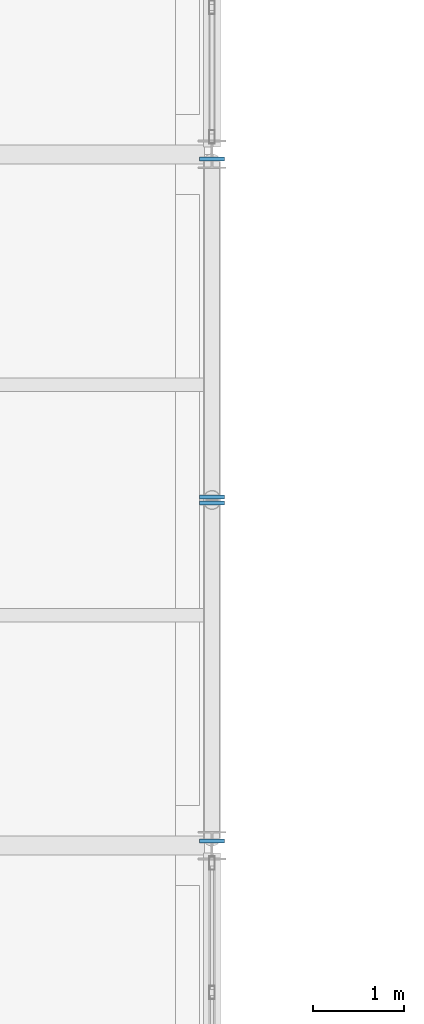
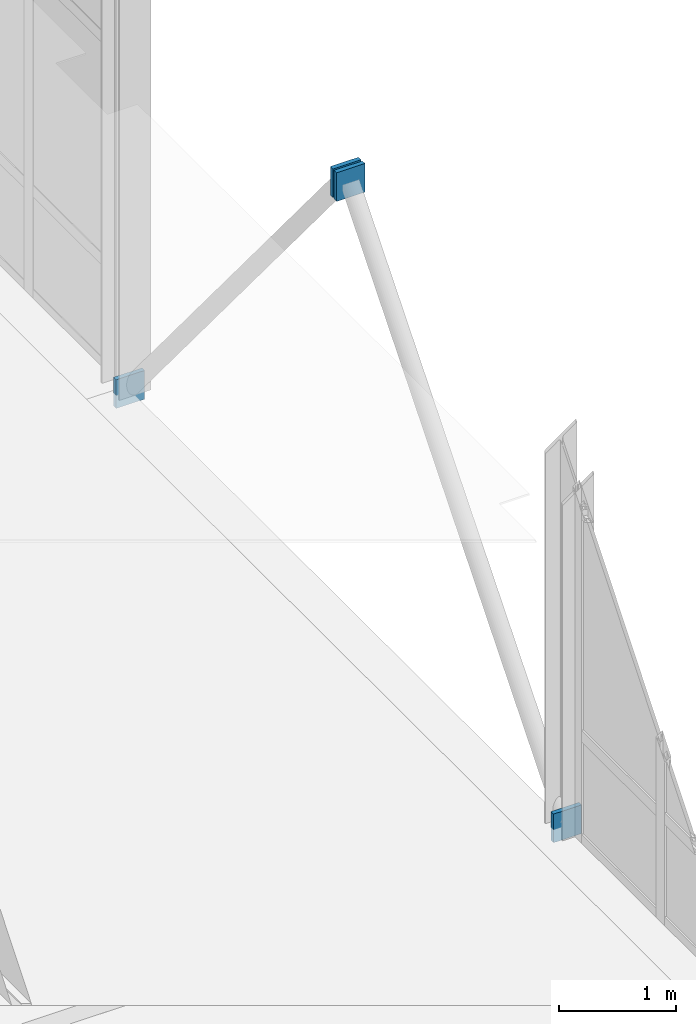
# One storey, part 137 of 161: 4 plates.
"""IFC4 building model written with IfcOpenShell, lengths in metres."""

from ifc_helpers import new_model, si_unit, direction, frame, origin, origin_2d, place, context, subcontext, project, spatial, rectangle, extrude, material, layer, layer_set, type_object, element, save


model = new_model("IFC4")

# Units and contexts
model_context = context("Model", 3, precision=1e-05, world=origin(), true_north=direction((0.0, 1.0)))
body_context = subcontext(model_context, "Body", "Model", "MODEL_VIEW")
ifc_project = project(units=[si_unit("LENGTHUNIT", "METRE"), si_unit("AREAUNIT", "SQUARE_METRE"), si_unit("VOLUMEUNIT", "CUBIC_METRE"), si_unit("PLANEANGLEUNIT", "RADIAN"), si_unit("MASSUNIT", "GRAM", prefix="KILO")], contexts=[model_context])

# Site, building, storey
site_placement = place(None, origin())
site = spatial("IfcSite", under=ifc_project, at=site_placement, CompositionType="ELEMENT")
building_placement = place(site_placement, origin())
building = spatial("IfcBuilding", under=site, at=building_placement, Name="Caisbarro Railhouse Central Library", CompositionType="ELEMENT")
storey_placement = place(building_placement, origin())
storey = spatial("IfcBuildingStorey", under=building, at=storey_placement, Name="L00", CompositionType="ELEMENT", Elevation=0.0)

# Plates
ifc_material = material(Name="Steel ASTM A572 Grade 50", Category="steel")
ifc_layer = layer(ifc_material, 0.044921875, Name="Steel ASTM A572 Grade 50")
ifc_layer_set = layer_set([ifc_layer], Name="Steel ASTM A572 Grade 50")
plate_type = type_object("IfcPlateType", Name="PLT-EP01", PredefinedType="SHEET", material=ifc_layer_set)
for number, where, z_axis, x_axis, name in (
    (1, (153.0, 76.05224609375, -0.13916015625), (0.0, 0.0, 1.0), (0.0, 1.0, 0.0), "EP01 end cap plate"),
    (2, (153.0, 79.767578125, 4.3193359375), (0.0, 0.0, 1.0), (0.0, 1.0, 0.0), "EP01 end cap plate"),
    (3, (153.0, 83.547607421875, -0.13916015625), (0.0, 0.0, 1.0), (0.0, -1.0, 0.0), "EP01 end cap plate"),
    (4, (153.0, 79.832275390625, 4.3193359375), (0.0, 0.0, 1.0), (0.0, -1.0, 0.0), "EP01 end cap plate"),
):
    element("IfcPlate", number, at=place(storey_placement, frame(where, z_axis=z_axis, x_axis=x_axis)), inside=storey, type_object=plate_type, Name=name, PredefinedType="SHEET", context=body_context, shape_type="SweptSolid", body=[
        extrude(rectangle(XDim=0.044921875, YDim=0.280029296875, at=origin_2d()), origin(), (0.0, 0.0, 1.0), 0.300048828125),
    ])

save(model, "model.ifc")
